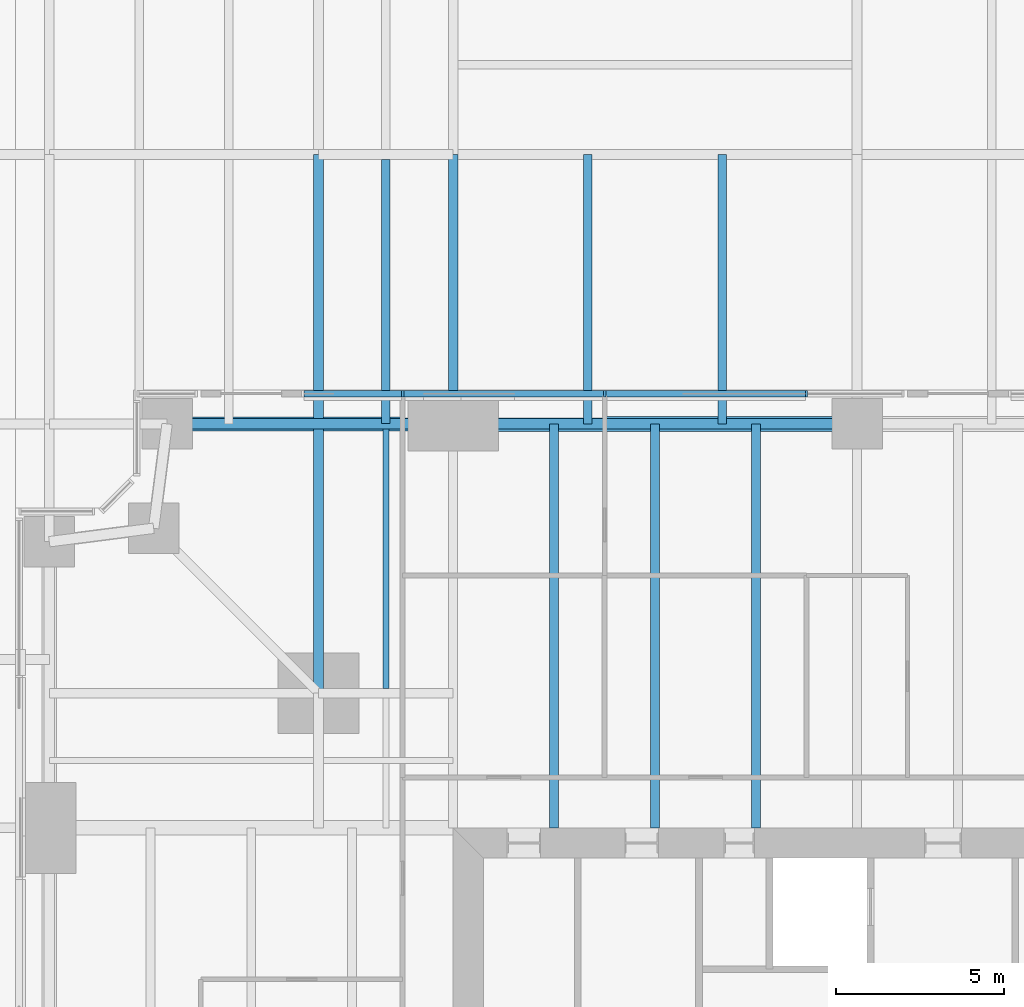
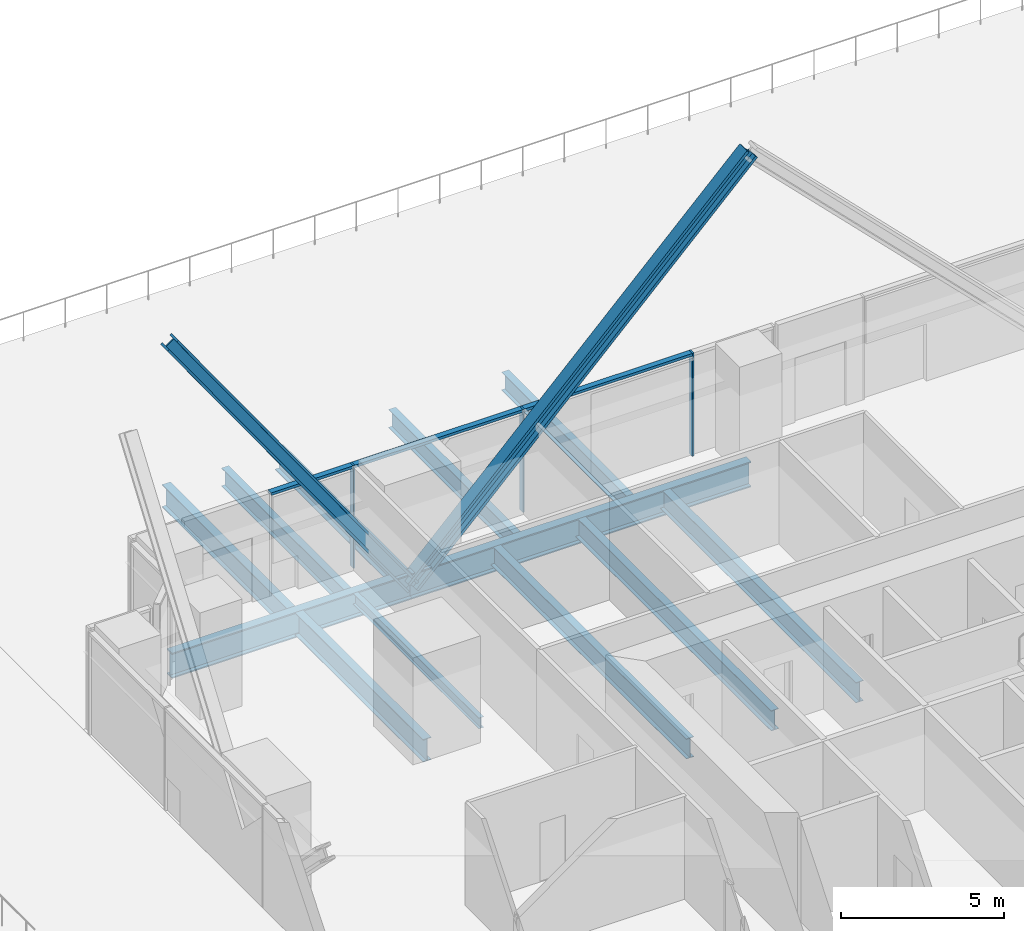
# One storey, part 7 of 21: 12 beams, 8 members, 1 element without a shape of its own.
"""IFC4 building model written with IfcOpenShell, lengths in metres."""

from ifc_helpers import new_model, si_unit, direction, frame, origin, origin_2d, place, context, subcontext, project, spatial, rectangle, i_section, extrude, material, material_profile, profile_set, type_object, element, aggregate, save


model = new_model("IFC4")

# Units and contexts
model_context = context("Model", 3, precision=1e-05, world=origin(), true_north=direction((0.0, 1.0)))
body_context = subcontext(model_context, "Body", "Model", "MODEL_VIEW")
ifc_project = project(units=[si_unit("LENGTHUNIT", "METRE"), si_unit("AREAUNIT", "SQUARE_METRE"), si_unit("VOLUMEUNIT", "CUBIC_METRE"), si_unit("PLANEANGLEUNIT", "RADIAN"), si_unit("MASSUNIT", "GRAM", prefix="KILO")], contexts=[model_context])

# Site, building, storey
site_placement = place(None, origin())
site = spatial("IfcSite", under=ifc_project, at=site_placement, CompositionType="ELEMENT")
building_placement = place(site_placement, origin())
building = spatial("IfcBuilding", under=site, at=building_placement, Name="Fenwick Lantern Interchange", CompositionType="ELEMENT")
storey_placement = place(building_placement, frame((0.0, 0.0, 31.0)))
storey = spatial("IfcBuildingStorey", under=building, at=storey_placement, Name="L06", CompositionType="ELEMENT", Elevation=31.0)

# Beams
ifc_material_1 = material(Name="Steel ASTM A992 Grade 50", Category="steel")
ifc_material_profile_1 = material_profile(ifc_material_1, i_section(OverallWidth=0.309814453125, OverallDepth=0.949951171875, WebThickness=0.0244140625, FlangeThickness=0.0439453125, at=origin_2d()), Name="W36X256")
ifc_profile_set_1 = profile_set([ifc_material_profile_1], Name="Steel ASTM A992 Grade 50")
beam_type_1 = type_object("IfcBeamType", Name="EDGE BEAM W36X256", PredefinedType="SPANDREL", material=ifc_profile_set_1)
beam_1_placement = place(storey_placement, frame((25.0, 49.0, -0.625), z_axis=(-1.0, 0.0, 0.0), x_axis=(0.0, -1.0, 0.0)))
element("IfcBeam", 1, at=beam_1_placement, inside=storey, type_object=beam_type_1, Name="L06/FR/N/EB3", PredefinedType="SPANDREL", context=body_context, shape_type="SweptSolid", body=[
    extrude(i_section(OverallWidth=0.309814453125, OverallDepth=0.949951171875, WebThickness=0.0244140625, FlangeThickness=0.0439453125, at=origin_2d()), origin(), (0.0, 0.0, 1.0), 12.0),
])
beam_2_placement = place(storey_placement, frame((13.0, 49.0, -0.625), z_axis=(-1.0, 0.0, 0.0), x_axis=(0.0, -1.0, 0.0)))
element("IfcBeam", 2, at=beam_2_placement, inside=storey, type_object=beam_type_1, Name="L06/FR/N/EB4", PredefinedType="SPANDREL", context=body_context, shape_type="SweptSolid", body=[
    extrude(i_section(OverallWidth=0.309814453125, OverallDepth=0.949951171875, WebThickness=0.0244140625, FlangeThickness=0.0439453125, at=origin_2d()), origin(), (0.0, 0.0, 1.0), 8.5),
])

# Members
ifc_material_profile_2 = material_profile(ifc_material_1, i_section(OverallWidth=0.424072265625, OverallDepth=0.47509765625, WebThickness=0.0478515625, FlangeThickness=0.0771484375, at=origin_2d()), Name="W14X426")
ifc_profile_set_2 = profile_set([ifc_material_profile_2], Name="Steel ASTM A992 Grade 50")
member_type_1 = type_object("IfcMemberType", Name="FACADE BRACE W14X426", PredefinedType="BRACE", material=ifc_profile_set_2)
member_1_placement = place(storey_placement, frame((13.0, 49.0, -0.625), z_axis=(-0.577407021852, 0.0, 0.816456447776), x_axis=(0.0, -1.0, 0.0)))
element("IfcMember", 3, at=member_1_placement, inside=storey, type_object=member_type_1, Name="L06/FB/N/BE", PredefinedType="BRACE", context=body_context, shape_type="SweptSolid", body=[
    extrude(i_section(OverallWidth=0.424072265625, OverallDepth=0.47509765625, WebThickness=0.0478515625, FlangeThickness=0.0771484375, at=origin_2d()), origin(), (0.0, 0.0, 1.0), 14.720947265625),
])
ifc_material_profile_3 = material_profile(ifc_material_1, i_section(OverallWidth=0.44189453125, OverallDepth=0.53076171875, WebThickness=0.06591796875, FlangeThickness=0.105712890625, at=origin_2d()), Name="W14X605")
ifc_profile_set_3 = profile_set([ifc_material_profile_3], Name="Steel ASTM A992 Grade 50")
member_type_2 = type_object("IfcMemberType", Name="FACADE BRACE W14X605", PredefinedType="BRACE", material=ifc_profile_set_3)
member_2_placement = place(storey_placement, frame((13.0, 49.0, -0.625), z_axis=(0.706545945103, 0.0, 0.707667172799), x_axis=(0.0, 1.0, 0.0)))
element("IfcMember", 4, at=member_2_placement, inside=storey, type_object=member_type_2, Name="L06/FB/N/B", PredefinedType="BRACE", context=body_context, shape_type="SweptSolid", body=[
    extrude(i_section(OverallWidth=0.44189453125, OverallDepth=0.53076171875, WebThickness=0.06591796875, FlangeThickness=0.105712890625, at=origin_2d()), origin(), (0.0, 0.0, 1.0), 16.984130859375),
])

# Beams
ifc_material_profile_4 = material_profile(ifc_material_1, i_section(OverallWidth=0.2666015625, OverallDepth=0.7568359375, WebThickness=0.013916015625, FlangeThickness=0.019287109375, at=origin_2d()), Name="W30X108")
ifc_profile_set_4 = profile_set([ifc_material_profile_4], Name="Steel ASTM A992 Grade 50")
beam_type_2 = type_object("IfcBeamType", Name="FLOOR BEAM W30X108", PredefinedType="BEAM", material=ifc_profile_set_4)
for number, where, z_axis, x_axis, name in (
    (5, (22.0, 49.0, -0.528564453125), (0.0, -1.0, 0.0), (1.0, 0.0, 0.0), "L06/FR/N/R06"),
    (6, (19.0, 49.0, -0.528564453125), (0.0, -1.0, 0.0), (1.0, 0.0, 0.0), "L06/FR/N/R07"),
    (7, (16.0, 49.0, -0.528564453125), (0.0, -1.0, 0.0), (1.0, 0.0, 0.0), "L06/FR/N/R08"),
):
    element("IfcBeam", number, at=place(storey_placement, frame(where, z_axis=z_axis, x_axis=x_axis)), inside=storey, type_object=beam_type_2, Name=name, PredefinedType="BEAM", context=body_context, shape_type="SweptSolid", body=[
        extrude(i_section(OverallWidth=0.2666015625, OverallDepth=0.7568359375, WebThickness=0.013916015625, FlangeThickness=0.019287109375, at=origin_2d()), origin(), (0.0, 0.0, 1.0), 12.0),
    ])
ifc_material_profile_5 = material_profile(ifc_material_1, i_section(OverallWidth=0.177734375, OverallDepth=0.406494140625, WebThickness=0.0078125, FlangeThickness=0.012939453125, at=origin_2d()), Name="W16X40")
ifc_profile_set_5 = profile_set([ifc_material_profile_5], Name="Steel ASTM A992 Grade 50")
beam_type_3 = type_object("IfcBeamType", Name="INFILL BEAM W16X40", PredefinedType="JOIST", material=ifc_profile_set_5)
beam_3_placement = place(storey_placement, frame((11.0, 48.844970703125, -0.353271484375), z_axis=(0.0, -1.0, 0.0), x_axis=(1.0, 0.0, 0.0)))
element("IfcBeam", 8, at=beam_3_placement, inside=storey, type_object=beam_type_3, Name="L06/FR/W/J3", PredefinedType="JOIST", context=body_context, shape_type="SweptSolid", body=[
    extrude(i_section(OverallWidth=0.177734375, OverallDepth=0.406494140625, WebThickness=0.0078125, FlangeThickness=0.012939453125, at=origin_2d()), origin(), (0.0, 0.0, 1.0), 7.698974609375),
])
ifc_material_profile_6 = material_profile(ifc_material_1, i_section(OverallWidth=0.2919921875, OverallDepth=0.845703125, WebThickness=0.015380859375, FlangeThickness=0.0244140625, at=origin_2d()), Name="W33X141")
ifc_profile_set_6 = profile_set([ifc_material_profile_6], Name="Steel ASTM A992 Grade 50")
beam_type_4 = type_object("IfcBeamType", Name="MEGA COLUMN BEAM W33X141", PredefinedType="BEAM", material=ifc_profile_set_6)
beam_4_placement = place(storey_placement, frame((9.0, 41.0, -0.572998046875), z_axis=(0.0, 1.0, 0.0), x_axis=(-1.0, 0.0, 0.0)))
element("IfcBeam", 9, at=beam_4_placement, inside=storey, type_object=beam_type_4, Name="L06/FR/W/MB2", PredefinedType="BEAM", context=body_context, shape_type="SweptSolid", body=[
    extrude(i_section(OverallWidth=0.2919921875, OverallDepth=0.845703125, WebThickness=0.015380859375, FlangeThickness=0.0244140625, at=origin_2d()), origin(), (0.0, 0.0, 1.0), 7.844970703125),
])
ifc_material_profile_7 = material_profile(ifc_material_1, i_section(OverallWidth=0.2919921875, OverallDepth=0.845703125, WebThickness=0.015380859375, FlangeThickness=0.0244140625, at=origin_2d()), Name="W33X141")
ifc_profile_set_7 = profile_set([ifc_material_profile_7], Name="Steel ASTM A992 Grade 50")
beam_type_5 = type_object("IfcBeamType", Name="MOMENT-CONNECTED PODIUM GIRDER W33X141", PredefinedType="BEAM", material=ifc_profile_set_7)
beam_5_placement = place(storey_placement, frame((9.0, 49.155029296875, -0.722900390625), z_axis=(0.0, 1.0, 0.0), x_axis=(-1.0, 0.0, 0.0)))
element("IfcBeam", 10, at=beam_5_placement, inside=storey, type_object=beam_type_5, Name="L06/PF/G058", PredefinedType="BEAM", context=body_context, shape_type="SweptSolid", body=[
    extrude(i_section(OverallWidth=0.2919921875, OverallDepth=0.845703125, WebThickness=0.015380859375, FlangeThickness=0.0244140625, at=origin_2d()), origin(), (0.0, 0.0, 1.0), 7.844970703125),
])
beam_6_placement = place(storey_placement, frame((13.0, 49.0, -0.722900390625), z_axis=(0.0, 1.0, 0.0), x_axis=(-1.0, 0.0, 0.0)))
element("IfcBeam", 11, at=beam_6_placement, inside=storey, type_object=beam_type_5, Name="L06/PF/G061", PredefinedType="BEAM", context=body_context, shape_type="SweptSolid", body=[
    extrude(i_section(OverallWidth=0.2919921875, OverallDepth=0.845703125, WebThickness=0.015380859375, FlangeThickness=0.0244140625, at=origin_2d()), origin(), (0.0, 0.0, 1.0), 8.0),
])

# Curtain wall, members
ifc_material_2 = material(Name="Aluminium curtain wall frame", Category="aluminium")
curtain_wall_type = type_object("IfcCurtainWallType", Name="OFFICE CURTAIN WALL", PredefinedType="USERDEFINED", material=ifc_material_2)
curtain_wall_placement = place(storey_placement, origin())
curtain_wall = element("IfcCurtainWall", 12, at=curtain_wall_placement, inside=storey, type_object=curtain_wall_type, Name="Office curtain wall 09B", ObjectType="OFFICE CURTAIN WALL", PredefinedType="USERDEFINED")
ifc_material_3 = material(Name="Aluminium extrusion", Category="aluminium")
ifc_material_profile_8 = material_profile(ifc_material_3, rectangle(XDim=0.199951171875, YDim=0.06494140625, at=origin_2d()), Name="OFFICE CURTAIN WALL MULLION 65 X 200")
ifc_profile_set_8 = profile_set([ifc_material_profile_8], Name="Aluminium extrusion")
member_type_3 = type_object("IfcMemberType", Name="OFFICE CURTAIN WALL MULLION 65 X 200", PredefinedType="MULLION", material=ifc_profile_set_8)
member_3_placement = place(storey_placement, frame((23.5, 49.89990234375, 0.0), z_axis=(0.0, 0.0, 1.0), x_axis=(0.0, -1.0, 0.0)))
member_3 = element("IfcMember", 13, at=member_3_placement, type_object=member_type_3, Name="L06/CW/09B/M01", PredefinedType="MULLION", context=body_context, shape_type="SweptSolid", body=[
    extrude(rectangle(XDim=0.199951171875, YDim=0.06494140625, at=origin_2d()), origin(), (0.0, 0.0, 1.0), 3.85009765625),
])
member_4_placement = place(storey_placement, frame((17.5, 49.89990234375, 0.0), z_axis=(0.0, 0.0, 1.0), x_axis=(0.0, -1.0, 0.0)))
member_4 = element("IfcMember", 14, at=member_4_placement, type_object=member_type_3, Name="L06/CW/09B/M02", PredefinedType="MULLION", context=body_context, shape_type="SweptSolid", body=[
    extrude(rectangle(XDim=0.199951171875, YDim=0.06494140625, at=origin_2d()), origin(), (0.0, 0.0, 1.0), 3.85009765625),
])
member_5_placement = place(storey_placement, frame((11.5, 49.89990234375, 0.0), z_axis=(0.0, 0.0, 1.0), x_axis=(0.0, -1.0, 0.0)))
member_5 = element("IfcMember", 15, at=member_5_placement, type_object=member_type_3, Name="L06/CW/09B/M03", PredefinedType="MULLION", context=body_context, shape_type="SweptSolid", body=[
    extrude(rectangle(XDim=0.199951171875, YDim=0.06494140625, at=origin_2d()), origin(), (0.0, 0.0, 1.0), 3.85009765625),
])
ifc_material_profile_9 = material_profile(ifc_material_3, rectangle(XDim=0.199951171875, YDim=0.10009765625, at=origin_2d()), Name="OFFICE CURTAIN WALL TRANSOM 100 X 200")
ifc_profile_set_9 = profile_set([ifc_material_profile_9], Name="Aluminium extrusion")
member_type_4 = type_object("IfcMemberType", Name="OFFICE CURTAIN WALL TRANSOM 100 X 200", PredefinedType="MULLION", material=ifc_profile_set_9)
member_6_placement = place(storey_placement, frame((23.467529296875, 49.89990234375, 3.800048828125), z_axis=(-1.0, 0.0, 0.0), x_axis=(0.0, -1.0, 0.0)))
member_6 = element("IfcMember", 16, at=member_6_placement, type_object=member_type_4, Name="L06/CW/09B/T01", PredefinedType="MULLION", context=body_context, shape_type="SweptSolid", body=[
    extrude(rectangle(XDim=0.199951171875, YDim=0.10009765625, at=origin_2d()), origin(), (0.0, 0.0, 1.0), 5.93505859375),
])
member_7_placement = place(storey_placement, frame((17.467529296875, 49.89990234375, 3.800048828125), z_axis=(-1.0, 0.0, 0.0), x_axis=(0.0, -1.0, 0.0)))
member_7 = element("IfcMember", 17, at=member_7_placement, type_object=member_type_4, Name="L06/CW/09B/T02", PredefinedType="MULLION", context=body_context, shape_type="SweptSolid", body=[
    extrude(rectangle(XDim=0.199951171875, YDim=0.10009765625, at=origin_2d()), origin(), (0.0, 0.0, 1.0), 5.93505859375),
])
member_8_placement = place(storey_placement, frame((11.467529296875, 49.89990234375, 3.800048828125), z_axis=(-1.0, 0.0, 0.0), x_axis=(0.0, -1.0, 0.0)))
member_8 = element("IfcMember", 18, at=member_8_placement, type_object=member_type_4, Name="L06/CW/09B/T03", PredefinedType="MULLION", context=body_context, shape_type="SweptSolid", body=[
    extrude(rectangle(XDim=0.199951171875, YDim=0.10009765625, at=origin_2d()), origin(), (0.0, 0.0, 1.0), 2.902587890625),
])
aggregate(curtain_wall, [member_3, member_4, member_5, member_6, member_7, member_8])

# Beams
ifc_material_profile_10 = material_profile(ifc_material_1, i_section(OverallWidth=0.25390625, OverallDepth=0.683349609375, WebThickness=0.012451171875, FlangeThickness=0.01904296875, at=origin_2d()), Name="W27X94")
ifc_profile_set_10 = profile_set([ifc_material_profile_10], Name="Steel ASTM A992 Grade 50")
beam_type_6 = type_object("IfcBeamType", Name="PODIUM BEAM W27X94", PredefinedType="JOIST", material=ifc_profile_set_10)
beam_7_placement = place(storey_placement, frame((11.0, 49.01220703125, -0.6416015625), z_axis=(0.0, 1.0, 0.0), x_axis=(-1.0, 0.0, 0.0)))
element("IfcBeam", 19, at=beam_7_placement, inside=storey, type_object=beam_type_6, Name="L06/PF/J109", PredefinedType="JOIST", context=body_context, shape_type="SweptSolid", body=[
    extrude(i_section(OverallWidth=0.25390625, OverallDepth=0.683349609375, WebThickness=0.012451171875, FlangeThickness=0.01904296875, at=origin_2d()), origin(), (0.0, 0.0, 1.0), 7.841796875),
])
for number, where, z_axis, x_axis, name in (
    (20, (17.0, 49.0, -0.6416015625), (0.0, 1.0, 0.0), (-1.0, 0.0, 0.0), "L06/PF/J112"),
    (21, (21.0, 49.0, -0.6416015625), (0.0, 1.0, 0.0), (-1.0, 0.0, 0.0), "L06/PF/J113"),
):
    element("IfcBeam", number, at=place(storey_placement, frame(where, z_axis=z_axis, x_axis=x_axis)), inside=storey, type_object=beam_type_6, Name=name, PredefinedType="JOIST", context=body_context, shape_type="SweptSolid", body=[
        extrude(i_section(OverallWidth=0.25390625, OverallDepth=0.683349609375, WebThickness=0.012451171875, FlangeThickness=0.01904296875, at=origin_2d()), origin(), (0.0, 0.0, 1.0), 8.0),
    ])

save(model, "model.ifc")
